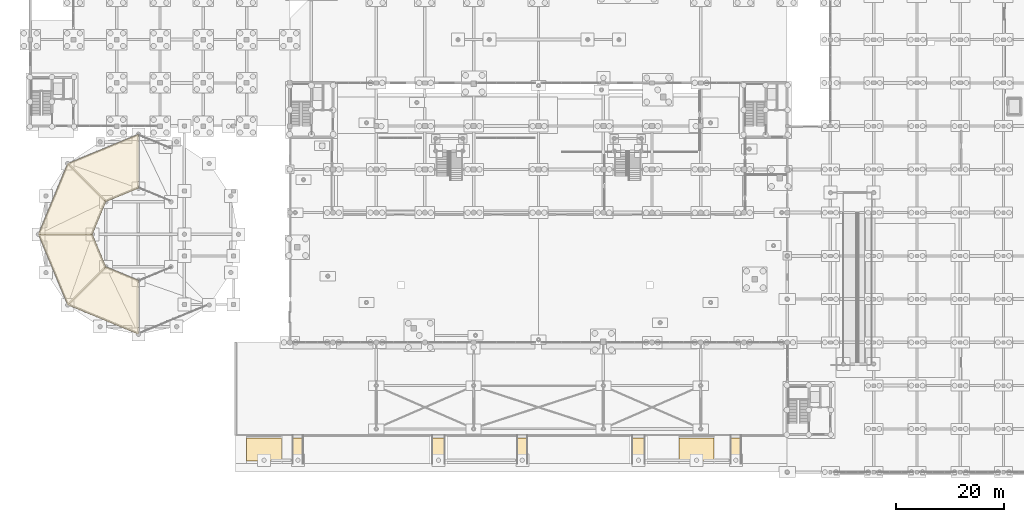
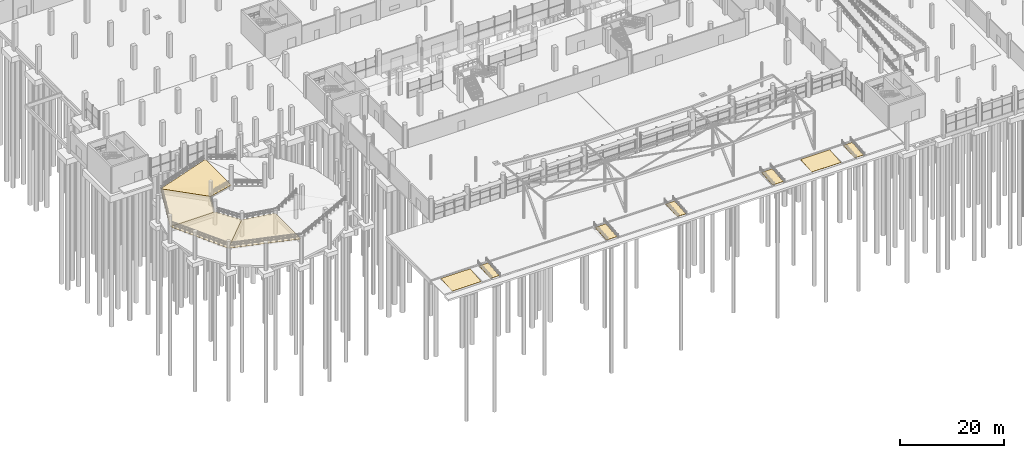
# One storey, part 97 of 98: 11 coverings.
"""IFC4 building model written with IfcOpenShell, lengths in metres."""

from ifc_helpers import new_model, si_unit, derived_unit, direction, origin, place, context, subcontext, project, spatial, polygons, material, layer, layer_set, type_object, element, save


model = new_model("IFC4")

# Units and contexts
model_context = context("Model", 3, precision=1e-05, world=origin(), true_north=direction((0.0, 1.0)))
body_context = subcontext(model_context, "Body", "Model", "MODEL_VIEW")
ifc_project = project(units=[si_unit("LENGTHUNIT", "METRE"), si_unit("AREAUNIT", "SQUARE_METRE"), si_unit("VOLUMEUNIT", "CUBIC_METRE"), si_unit("PLANEANGLEUNIT", "RADIAN"), si_unit("MASSUNIT", "GRAM", prefix="KILO"), si_unit("THERMODYNAMICTEMPERATUREUNIT", "KELVIN"), derived_unit("THERMALTRANSMITTANCEUNIT", [(si_unit("POWERUNIT", "WATT"), 1), (si_unit("AREAUNIT", "SQUARE_METRE"), -1), (si_unit("THERMODYNAMICTEMPERATUREUNIT", "KELVIN"), -1)])], contexts=[model_context])

# Site, building, storey
site_placement = place(None, origin())
site = spatial("IfcSite", under=ifc_project, at=site_placement, CompositionType="ELEMENT")
building_placement = place(site_placement, origin())
building = spatial("IfcBuilding", under=site, at=building_placement, Name="Haiyu Intermodal Mobility Hub", CompositionType="ELEMENT")
storey_placement = place(building_placement, origin())
storey = spatial("IfcBuildingStorey", under=building, at=storey_placement, Name="L00", CompositionType="ELEMENT", Elevation=0.0)

# Coverings
ifc_material = material(Name="Acrylic sports court surfacing")
ifc_layer = layer(ifc_material, 0.030029296875)
ifc_layer_set = layer_set([ifc_layer], Name="Acrylic sports court surfacing")
covering_type = type_object("IfcCoveringType", Name="COV-CV07", PredefinedType="FLOORING", material=ifc_layer_set)
covering_1_placement = place(storey_placement, origin())
element("IfcCovering", 1, at=covering_1_placement, inside=storey, type_object=covering_type, Name="COV-RMP-VEH-L00-02", PredefinedType="FLOORING", context=body_context, shape_type="Tessellation", body=[
    polygons([(34.0, 68.5, 0.93310546875), (34.0, 78.5, 0.93310546875), (20.9189453125, 73.0810546875, 1.866943359375), (27.989990234375, 66.010009765625, 1.866943359375), (34.0, 68.5, 0.97802734375), (34.0, 78.5, 0.97802734375), (20.9189453125, 73.0810546875, 1.912109375), (27.989990234375, 66.010009765625, 1.912109375)], [[[4, 3, 2, 1]], [[5, 6, 7, 8]], [[1, 2, 6, 5]], [[2, 3, 7, 6]], [[3, 4, 8, 7]], [[4, 1, 5, 8]]], closed=True),
])
covering_2_placement = place(storey_placement, origin())
element("IfcCovering", 2, at=covering_2_placement, inside=storey, type_object=covering_type, Name="COV-RMP-VEH-L00-03", PredefinedType="FLOORING", context=body_context, shape_type="Tessellation", body=[
    polygons([(27.989990234375, 66.010009765625, 1.866943359375), (20.9189453125, 73.0810546875, 1.866943359375), (15.5, 60.0, 2.800048828125), (25.5, 60.0, 2.800048828125), (27.989990234375, 66.010009765625, 1.912109375), (20.9189453125, 73.0810546875, 1.912109375), (15.5, 60.0, 2.844970703125), (25.5, 60.0, 2.844970703125)], [[[4, 3, 2, 1]], [[5, 6, 7, 8]], [[1, 2, 6, 5]], [[2, 3, 7, 6]], [[3, 4, 8, 7]], [[4, 1, 5, 8]]], closed=True),
])
covering_3_placement = place(storey_placement, origin())
element("IfcCovering", 3, at=covering_3_placement, inside=storey, type_object=covering_type, Name="COV-RMP-VEH-L00-04", PredefinedType="FLOORING", context=body_context, shape_type="Tessellation", body=[
    polygons([(25.5, 60.0, 2.800048828125), (15.5, 60.0, 2.800048828125), (20.9189453125, 46.9189453125, 3.73291015625), (27.989990234375, 53.989990234375, 3.73291015625), (25.5, 60.0, 2.844970703125), (15.5, 60.0, 2.844970703125), (20.9189453125, 46.9189453125, 3.778076171875), (27.989990234375, 53.989990234375, 3.778076171875)], [[[4, 3, 2, 1]], [[5, 6, 7, 8]], [[1, 2, 6, 5]], [[2, 3, 7, 6]], [[3, 4, 8, 7]], [[4, 1, 5, 8]]], closed=True),
])
covering_4_placement = place(storey_placement, origin())
element("IfcCovering", 4, at=covering_4_placement, inside=storey, type_object=covering_type, Name="COV-RMP-VEH-L00-05", PredefinedType="FLOORING", context=body_context, shape_type="Tessellation", body=[
    polygons([(27.989990234375, 53.989990234375, 3.73291015625), (20.9189453125, 46.9189453125, 3.73291015625), (34.0, 41.5, 4.6669921875), (34.0, 51.5, 4.6669921875), (27.989990234375, 53.989990234375, 3.778076171875), (20.9189453125, 46.9189453125, 3.778076171875), (34.0, 41.5, 4.7119140625), (34.0, 51.5, 4.7119140625)], [[[4, 3, 2, 1]], [[5, 6, 7, 8]], [[1, 2, 6, 5]], [[2, 3, 7, 6]], [[3, 4, 8, 7]], [[4, 1, 5, 8]]], closed=True),
])
covering_5_placement = place(storey_placement, origin())
element("IfcCovering", 5, at=covering_5_placement, inside=storey, type_object=covering_type, Name="COV-RMP-ACC-01", PredefinedType="FLOORING", context=body_context, shape_type="Tessellation", body=[
    polygons([(62.5, 18.050048828125, -0.407958984375), (64.5, 18.050048828125, -0.407958984375), (64.5, 22.35009765625, -0.0419921875), (62.5, 22.35009765625, -0.0419921875), (62.5, 18.050048828125, -0.367919921875), (64.5, 18.050048828125, -0.367919921875), (64.5, 22.35009765625, -0.001953125), (62.5, 22.35009765625, -0.001953125)], [[[4, 3, 2, 1]], [[5, 6, 7, 8]], [[1, 2, 6, 5]], [[2, 3, 7, 6]], [[3, 4, 8, 7]], [[4, 1, 5, 8]]], closed=True),
])
covering_6_placement = place(storey_placement, origin())
element("IfcCovering", 6, at=covering_6_placement, inside=storey, type_object=covering_type, Name="COV-RMP-ACC-02", PredefinedType="FLOORING", context=body_context, shape_type="Tessellation", body=[
    polygons([(143.5, 18.050048828125, -0.407958984375), (145.5, 18.050048828125, -0.407958984375), (145.5, 22.35009765625, -0.0419921875), (143.5, 22.35009765625, -0.0419921875), (143.5, 18.050048828125, -0.367919921875), (145.5, 18.050048828125, -0.367919921875), (145.5, 22.35009765625, -0.001953125), (143.5, 22.35009765625, -0.001953125)], [[[4, 3, 2, 1]], [[5, 6, 7, 8]], [[1, 2, 6, 5]], [[2, 3, 7, 6]], [[3, 4, 8, 7]], [[4, 1, 5, 8]]], closed=True),
])
covering_7_placement = place(storey_placement, origin())
element("IfcCovering", 7, at=covering_7_placement, inside=storey, type_object=covering_type, Name="COV-RMP-ACC-03", PredefinedType="FLOORING", context=body_context, shape_type="Tessellation", body=[
    polygons([(88.300048828125, 18.050048828125, -0.407958984375), (90.699951171875, 18.050048828125, -0.407958984375), (90.699951171875, 22.35009765625, -0.0419921875), (88.300048828125, 22.35009765625, -0.0419921875), (88.300048828125, 18.050048828125, -0.367919921875), (90.699951171875, 18.050048828125, -0.367919921875), (90.699951171875, 22.35009765625, -0.001953125), (88.300048828125, 22.35009765625, -0.001953125)], [[[4, 3, 2, 1]], [[5, 6, 7, 8]], [[1, 2, 6, 5]], [[2, 3, 7, 6]], [[3, 4, 8, 7]], [[4, 1, 5, 8]]], closed=True),
])
covering_8_placement = place(storey_placement, origin())
element("IfcCovering", 8, at=covering_8_placement, inside=storey, type_object=covering_type, Name="COV-RMP-ACC-04", PredefinedType="FLOORING", context=body_context, shape_type="Tessellation", body=[
    polygons([(125.300048828125, 18.050048828125, -0.407958984375), (127.699951171875, 18.050048828125, -0.407958984375), (127.699951171875, 22.35009765625, -0.0419921875), (125.300048828125, 22.35009765625, -0.0419921875), (125.300048828125, 18.050048828125, -0.367919921875), (127.699951171875, 18.050048828125, -0.367919921875), (127.699951171875, 22.35009765625, -0.001953125), (125.300048828125, 22.35009765625, -0.001953125)], [[[4, 3, 2, 1]], [[5, 6, 7, 8]], [[1, 2, 6, 5]], [[2, 3, 7, 6]], [[3, 4, 8, 7]], [[4, 1, 5, 8]]], closed=True),
])
covering_9_placement = place(storey_placement, origin())
element("IfcCovering", 9, at=covering_9_placement, inside=storey, type_object=covering_type, Name="COV-RMP-ACC-05", PredefinedType="FLOORING", context=body_context, shape_type="Tessellation", body=[
    polygons([(104.0, 18.050048828125, -0.407958984375), (106.0, 18.050048828125, -0.407958984375), (106.0, 22.35009765625, -0.0419921875), (104.0, 22.35009765625, -0.0419921875), (104.0, 18.050048828125, -0.367919921875), (106.0, 18.050048828125, -0.367919921875), (106.0, 22.35009765625, -0.001953125), (104.0, 22.35009765625, -0.001953125)], [[[4, 3, 2, 1]], [[5, 6, 7, 8]], [[1, 2, 6, 5]], [[2, 3, 7, 6]], [[3, 4, 8, 7]], [[4, 1, 5, 8]]], closed=True),
])
covering_10_placement = place(storey_placement, origin())
element("IfcCovering", 10, at=covering_10_placement, inside=storey, type_object=covering_type, Name="COV-RMP-VEH-S1", PredefinedType="FLOORING", context=body_context, shape_type="Tessellation", body=[
    polygons([(54.0, 18.050048828125, -0.4140625), (60.5, 18.050048828125, -0.4140625), (60.5, 22.35009765625, -0.035888671875), (54.0, 22.35009765625, -0.035888671875), (54.0, 18.050048828125, -0.3740234375), (60.5, 18.050048828125, -0.3740234375), (60.5, 22.35009765625, 0.00390625), (54.0, 22.35009765625, 0.00390625)], [[[4, 3, 2, 1]], [[5, 6, 7, 8]], [[1, 2, 6, 5]], [[2, 3, 7, 6]], [[3, 4, 8, 7]], [[4, 1, 5, 8]]], closed=True),
])
covering_11_placement = place(storey_placement, origin())
element("IfcCovering", 11, at=covering_11_placement, inside=storey, type_object=covering_type, Name="COV-RMP-VEH-S2", PredefinedType="FLOORING", context=body_context, shape_type="Tessellation", body=[
    polygons([(134.0, 18.050048828125, -0.4140625), (140.5, 18.050048828125, -0.4140625), (140.5, 22.35009765625, -0.035888671875), (134.0, 22.35009765625, -0.035888671875), (134.0, 18.050048828125, -0.3740234375), (140.5, 18.050048828125, -0.3740234375), (140.5, 22.35009765625, 0.00390625), (134.0, 22.35009765625, 0.00390625)], [[[4, 3, 2, 1]], [[5, 6, 7, 8]], [[1, 2, 6, 5]], [[2, 3, 7, 6]], [[3, 4, 8, 7]], [[4, 1, 5, 8]]], closed=True),
])

save(model, "model.ifc")
